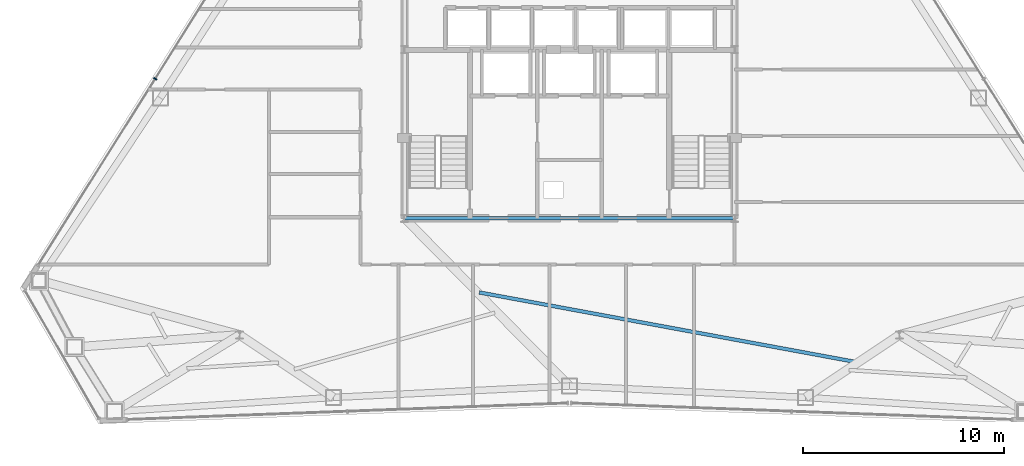
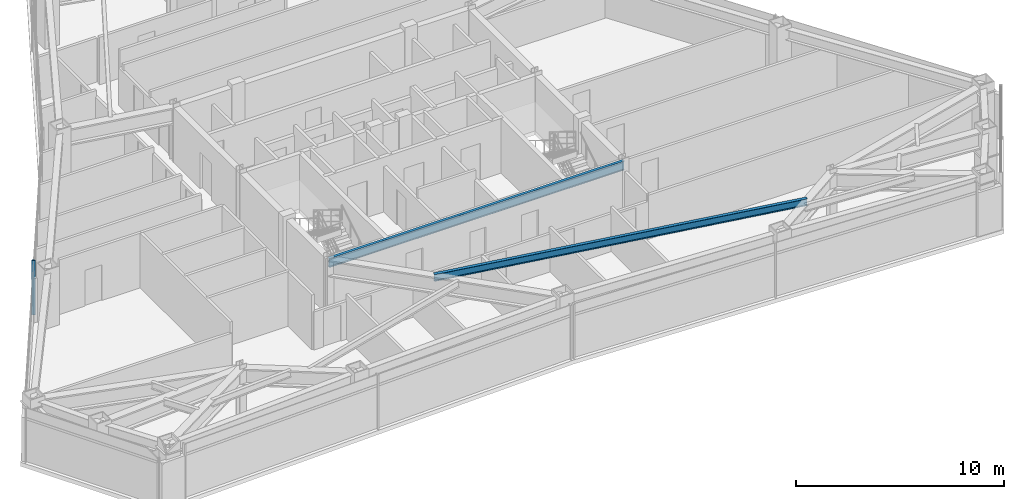
# One storey, part 4 of 13: 2 beams, 1 member, 1 element without a shape of its own.
"""IFC4 building model written with IfcOpenShell, lengths in metres."""

from ifc_helpers import new_model, si_unit, direction, frame, origin, origin_2d, place, context, subcontext, project, spatial, rectangle, i_section, extrude, source, transform, mapped, material, layer, layer_set, material_profile, profile_set, type_object, type_shapes, element, aggregate, save


model = new_model("IFC4")

# Units and contexts
model_context = context("Model", 3, precision=1e-05, world=origin(), true_north=direction((0.0, 1.0)))
body_context = subcontext(model_context, "Body", "Model", "MODEL_VIEW")
ifc_project = project(units=[si_unit("LENGTHUNIT", "METRE"), si_unit("AREAUNIT", "SQUARE_METRE"), si_unit("VOLUMEUNIT", "CUBIC_METRE"), si_unit("PLANEANGLEUNIT", "RADIAN"), si_unit("MASSUNIT", "GRAM", prefix="KILO")], contexts=[model_context])

# Site, building, storey
site_placement = place(None, origin())
site = spatial("IfcSite", under=ifc_project, at=site_placement, CompositionType="ELEMENT")
building_placement = place(site_placement, origin())
building = spatial("IfcBuilding", under=site, at=building_placement, Name="Varakhsha Concourse Tower", CompositionType="ELEMENT")
storey_placement = place(building_placement, frame((0.0, 0.0, 179.25)))
storey = spatial("IfcBuildingStorey", under=building, at=storey_placement, Name="L51", CompositionType="ELEMENT", Elevation=179.25)

# Beams
ifc_material_1 = material(Name="Structural Steel ASTM A992 Grade 50", Category="steel")
ifc_material_profile_1 = material_profile(ifc_material_1, i_section(OverallWidth=0.177978515625, OverallDepth=0.406982421875, WebThickness=0.008056640625, FlangeThickness=0.012939453125, at=origin_2d()), Name="W16X40")
ifc_profile_set_1 = profile_set([ifc_material_profile_1], Name="Structural Steel ASTM A992 Grade 50")
beam_type_1 = type_object("IfcBeamType", Name="BM-JST-W16X40", PredefinedType="JOIST", material=ifc_profile_set_1)
beam_1_placement = place(storey_placement, frame((35.51611328125, 12.7109375, 3.006591796875), z_axis=(0.983366824826, -0.181630635719, 0.0), x_axis=(0.181630635719, 0.983366824826, 0.0)))
element("IfcBeam", 1, at=beam_1_placement, inside=storey, type_object=beam_type_1, Name="BM-TJST-L51-11", PredefinedType="JOIST", context=body_context, shape_type="SweptSolid", body=[
    extrude(i_section(OverallWidth=0.177978515625, OverallDepth=0.406982421875, WebThickness=0.008056640625, FlangeThickness=0.012939453125, at=origin_2d()), origin(), (0.0, 0.0, 1.0), 19.0439453125),
])
ifc_material_profile_2 = material_profile(ifc_material_1, i_section(OverallWidth=0.1669921875, OverallDepth=0.534912109375, WebThickness=0.010009765625, FlangeThickness=0.01708984375, at=origin_2d()), Name="W21X57")
ifc_profile_set_2 = profile_set([ifc_material_profile_2], Name="Structural Steel ASTM A992 Grade 50")
beam_type_2 = type_object("IfcBeamType", Name="BM-RAD-W21X57", PredefinedType="BEAM", material=ifc_profile_set_2)
beam_2_placement = place(storey_placement, frame((31.800048828125, 16.39990234375, 2.9423828125), z_axis=(1.0, 0.0, 0.0), x_axis=(0.0, 1.0, 0.0)))
element("IfcBeam", 2, at=beam_2_placement, inside=storey, type_object=beam_type_2, Name="BM-TCORE-L51-CS", PredefinedType="BEAM", context=body_context, shape_type="SweptSolid", body=[
    extrude(i_section(OverallWidth=0.1669921875, OverallDepth=0.534912109375, WebThickness=0.010009765625, FlangeThickness=0.01708984375, at=origin_2d()), origin(), (0.0, 0.0, 1.0), 16.39990234375),
])

# Curtain wall, member
ifc_material_2 = material(Name="Anodised Bronze Architectural Aluminium AA 6063-T6", Category="aluminium")
ifc_layer = layer(ifc_material_2, 0.2099609375, Name="CW-SYS-04")
ifc_layer_set = layer_set([ifc_layer], Name="Anodised Bronze Architectural Aluminium AA 6063-T6")
curtain_wall_type = type_object("IfcCurtainWallType", Name="CW-SYS-04", PredefinedType="NOTDEFINED", material=ifc_layer_set)
curtain_wall_placement = place(storey_placement, origin())
curtain_wall = element("IfcCurtainWall", 3, at=curtain_wall_placement, inside=storey, type_object=curtain_wall_type, Name="L51 Crystal Curtain Wall F3", PredefinedType="NOTDEFINED")
ifc_material_profile_3 = material_profile(ifc_material_2, rectangle(XDim=0.06494140625, YDim=0.179931640625, at=origin_2d()), Name="CWM-180X65")
ifc_profile_set_3 = profile_set([ifc_material_profile_3], Name="Anodised Bronze Architectural Aluminium AA 6063-T6")
member_type = type_object("IfcMemberType", Name="CWM-180X65", PredefinedType="MULLION", material=ifc_profile_set_3)
shared_shape = source(origin(), body_context, "Body", "SweptSolid", [
    extrude(rectangle(XDim=0.06494140625, YDim=0.179931640625, at=origin_2d()), origin(), (0.0, 0.0, 1.0), 3.2099609375),
])
type_shapes(member_type, [shared_shape])
member_placement = place(storey_placement, frame((19.40380859375, 23.333984375, 0.0), z_axis=(0.0, 0.0, 1.0), x_axis=(0.532022365141, 0.846730301212, 0.0)))
member = element("IfcMember", 4, at=member_placement, type_object=member_type, Name="CW-L51-F3 Mullion 01", PredefinedType="MULLION", context=body_context, shape_type="MappedRepresentation", body=[
    mapped(shared_shape, transform((0.0, 0.0, 0.0), scale=1.0)),
])
aggregate(curtain_wall, [member])

save(model, "model.ifc")
